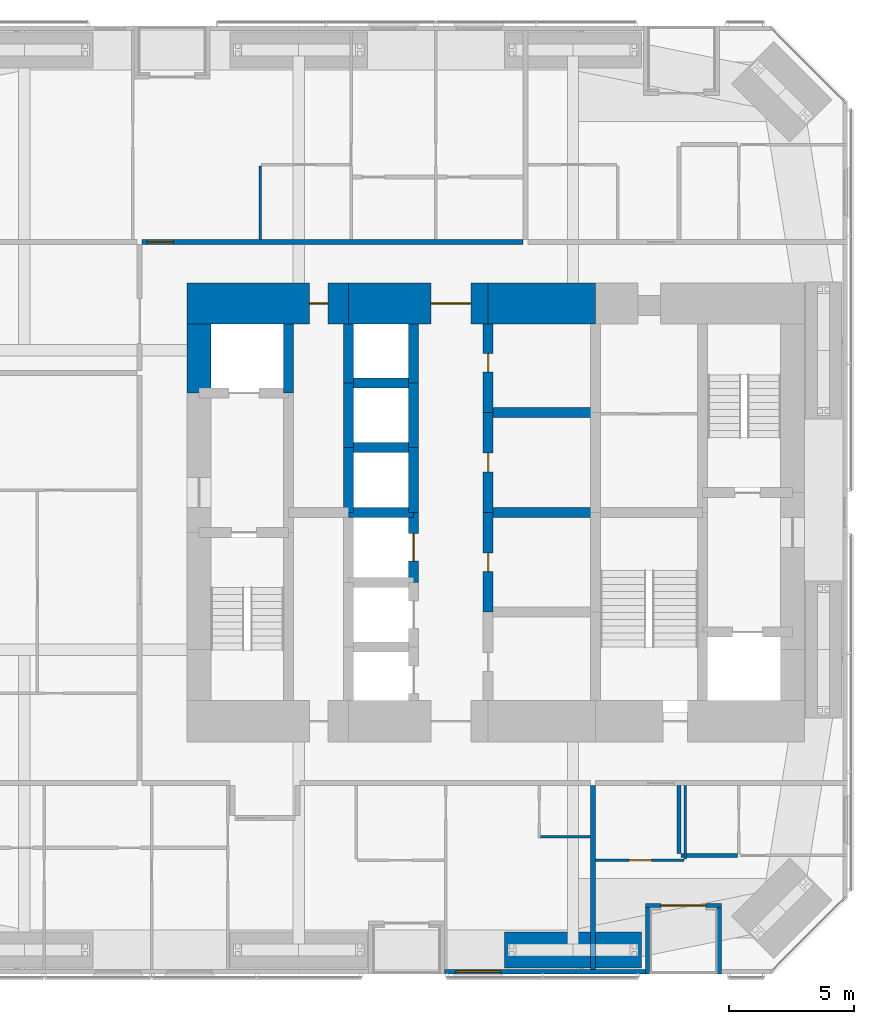
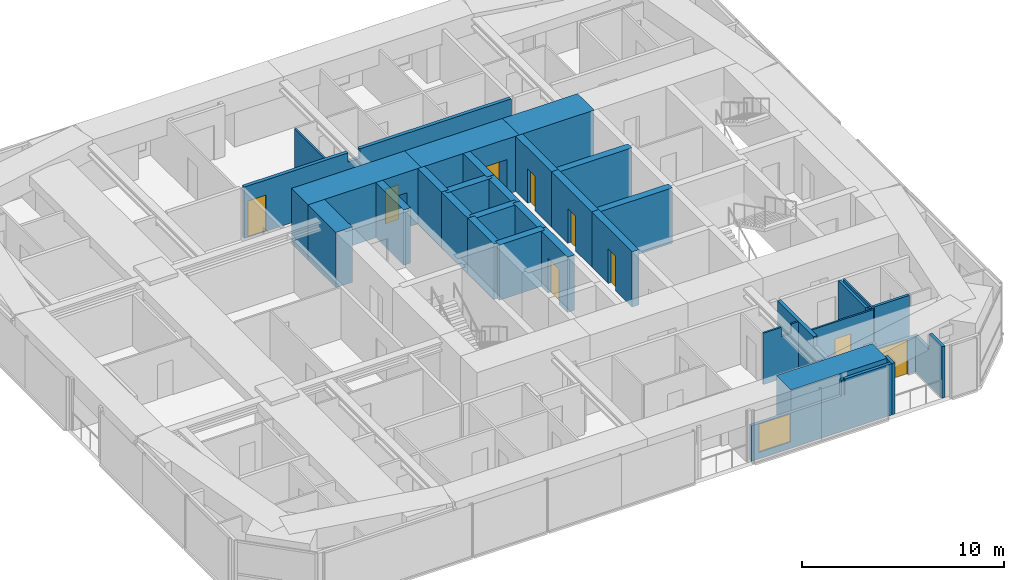
# One storey, part 20 of 24: 34 walls, 9 doors, 1 window, 10 openings.
"""IFC4 building model written with IfcOpenShell, lengths in metres."""

from ifc_helpers import new_model, si_unit, direction, frame, frame_2d, origin, place, context, subcontext, project, spatial, polyline, rectangle, outline, extrude, material, layer, layer_set, constituent, constituent_set, type_object, element, fill, save


model = new_model("IFC4")

# Units and contexts
model_context = context("Model", 3, precision=1e-05, world=origin(), true_north=direction((0.0, 1.0)))
body_context = subcontext(model_context, "Body", "Model", "MODEL_VIEW")
ifc_project = project(units=[si_unit("LENGTHUNIT", "METRE"), si_unit("AREAUNIT", "SQUARE_METRE"), si_unit("VOLUMEUNIT", "CUBIC_METRE"), si_unit("PLANEANGLEUNIT", "RADIAN"), si_unit("MASSUNIT", "GRAM", prefix="KILO")], contexts=[model_context])

# Site, building, storey
site_placement = place(None, origin())
site = spatial("IfcSite", under=ifc_project, at=site_placement, CompositionType="ELEMENT")
building_placement = place(site_placement, origin())
building = spatial("IfcBuilding", under=site, at=building_placement, Name="Jalousie Tower", CompositionType="ELEMENT")
storey_placement = place(building_placement, frame((0.0, 0.0, 57.85009765625)))
storey = spatial("IfcBuildingStorey", under=building, at=storey_placement, Name="L15", CompositionType="ELEMENT", Elevation=57.85009765625)

# Walls
ifc_material_1 = material(Name="Concrete block ASTM C90", Category="concrete")
ifc_constituent_1 = constituent(ifc_material_1, Name="Body")
ifc_material_2 = material(Name="Render")
ifc_constituent_2 = constituent(ifc_material_2, Name="Finish")
ifc_constituent_set_1 = constituent_set(constituents=[ifc_constituent_1, ifc_constituent_2])
wall_type_1 = type_object("IfcWallType", Name="BATHROOM WALL 150", PredefinedType="PLUMBINGWALL", material=ifc_constituent_set_1)
wall_1_placement = place(storey_placement, frame((39.324951171875, 4.74658203125, 0.0), z_axis=(0.0, 0.0, 1.0), x_axis=(1.0, 0.0, 0.0)))
element("IfcWall", 1, at=wall_1_placement, inside=storey, type_object=wall_type_1, Name="Bathroom Wall 150 L15", PredefinedType="PLUMBINGWALL", context=body_context, shape_type="SweptSolid", body=[
    extrude(rectangle(XDim=2.275146484375, YDim=0.14990234375, at=frame_2d((1.1376953125, 0.0))), origin(), (0.0, 0.0, 1.0), 3.10986328125),
])
wall_2_placement = place(storey_placement, frame((39.25, 4.82177734375, 0.0), z_axis=(0.0, 0.0, 1.0), x_axis=(0.0, 1.0, 0.0)))
element("IfcWall", 2, at=wall_2_placement, inside=storey, type_object=wall_type_1, Name="Bathroom Wall 150 L15", PredefinedType="PLUMBINGWALL", context=body_context, shape_type="SweptSolid", body=[
    extrude(rectangle(XDim=2.728271484375, YDim=0.14990234375, at=frame_2d((1.3642578125, 0.0))), origin(), (0.0, 0.0, 1.0), 3.10986328125),
])
ifc_material_3 = material(Name="Concrete f'c 120 MPa", Category="concrete")
ifc_layer_1 = layer(ifc_material_3, 1.64990234375)
ifc_layer_set_1 = layer_set([ifc_layer_1], Name="Concrete f'c 120 MPa")
wall_type_2 = type_object("IfcWallType", Name="CORE WALL 1650", PredefinedType="SHEAR", material=ifc_layer_set_1)
wall_3_placement = place(storey_placement, frame((35.89990234375, 26.875, 0.0), z_axis=(0.0, 0.0, 1.0), x_axis=(-1.0, 0.0, 0.0)))
element("IfcWall", 3, at=wall_3_placement, inside=storey, type_object=wall_type_2, Name="Core wall NB L15", PredefinedType="SHEAR", context=body_context, shape_type="SweptSolid", body=[
    extrude(rectangle(XDim=4.2998046875, YDim=1.64990234375, at=frame_2d((2.14990234375, 0.0))), origin(), (0.0, 0.0, 1.0), 3.349853515625),
])

# Wall, opening, door
wall_4_placement = place(storey_placement, frame((31.60009765625, 26.875, 0.0), z_axis=(0.0, 0.0, 1.0), x_axis=(-1.0, 0.0, 0.0)))
wall_4 = element("IfcWall", 4, at=wall_4_placement, inside=storey, type_object=wall_type_2, Name="Core wall NC L15", PredefinedType="SHEAR", context=body_context, shape_type="SweptSolid", body=[
    extrude(rectangle(XDim=5.60009765625, YDim=1.64990234375, at=frame_2d((2.800048828125, 0.0))), origin(), (0.0, 0.0, 1.0), 3.349853515625),
])
opening_1_placement = place(wall_4_placement, frame((0.699951171875, 0.0, 0.0)))
opening_1 = element("IfcOpeningElement", 5, at=opening_1_placement, cuts=wall_4, Name="Opening D15", PredefinedType="OPENING", context=body_context, shape_type="SweptSolid", body=[
    extrude(rectangle(XDim=1.60009765625, YDim=2.10009765625, at=frame_2d((0.800048828125, 1.050048828125))), frame((0.0, 0.8349609375, 0.0), z_axis=(0.0, -1.0, 0.0), x_axis=(1.0, 0.0, 0.0)), (0.0, 0.0, 1.0), 1.669921875),
])
ifc_material_4 = material(Name="Steel fire door", Category="steel")
door_type_1 = type_object("IfcDoorType", Name="LIFT LOBBY DOOR 1600", OperationType="DOUBLE_DOOR_SINGLE_SWING", PredefinedType="DOOR", material=ifc_material_4)
door_1_placement = place(opening_1_placement, origin())
door_1 = element("IfcDoor", 6, at=door_1_placement, inside=storey, type_object=door_type_1, Name="Lift lobby north door", OperationType="DOUBLE_DOOR_SINGLE_SWING", OverallHeight=2.10009765625, OverallWidth=1.60009765625, PredefinedType="DOOR", context=body_context, shape_type="SweptSolid", body=[
    extrude(rectangle(XDim=1.60009765625, YDim=2.10009765625, at=frame_2d((0.800048828125, 1.050048828125))), frame((0.0, 0.02490234375, 0.0), z_axis=(0.0, -1.0, 0.0), x_axis=(1.0, 0.0, 0.0)), (0.0, 0.0, 1.0), 0.050048828125),
])
fill(opening_1, door_1)

wall_5_placement = place(storey_placement, frame((26.0, 26.875, 0.0), z_axis=(0.0, 0.0, 1.0), x_axis=(-1.0, 0.0, 0.0)))
wall_5 = element("IfcWall", 7, at=wall_5_placement, inside=storey, type_object=wall_type_2, Name="Core wall ND L15", PredefinedType="SHEAR", context=body_context, shape_type="SweptSolid", body=[
    extrude(rectangle(XDim=6.47509765625, YDim=1.64990234375, at=frame_2d((3.237548828125, 0.0))), origin(), (0.0, 0.0, 1.0), 3.349853515625),
])
opening_2_placement = place(wall_5_placement, frame((0.824951171875, 0.0, 0.0)))
opening_2 = element("IfcOpeningElement", 8, at=opening_2_placement, cuts=wall_5, Name="Opening D16", PredefinedType="OPENING", context=body_context, shape_type="SweptSolid", body=[
    extrude(rectangle(XDim=0.75, YDim=2.10009765625, at=frame_2d((0.375, 1.050048828125))), frame((0.0, 0.8349609375, 0.0), z_axis=(0.0, -1.0, 0.0), x_axis=(1.0, 0.0, 0.0)), (0.0, 0.0, 1.0), 1.669921875),
])
ifc_material_5 = material(Name="Steel fire door", Category="steel")
door_type_2 = type_object("IfcDoorType", Name="RISER DOOR 750", OperationType="SINGLE_SWING_LEFT", PredefinedType="DOOR", material=ifc_material_5)
door_2_placement = place(opening_2_placement, origin())
door_2 = element("IfcDoor", 9, at=door_2_placement, inside=storey, type_object=door_type_2, Name="North riser door", OperationType="SINGLE_SWING_RIGHT", OverallHeight=2.10009765625, OverallWidth=0.75, PredefinedType="DOOR", context=body_context, shape_type="SweptSolid", body=[
    extrude(rectangle(XDim=0.75, YDim=2.10009765625, at=frame_2d((0.375, 1.050048828125))), frame((0.0, 0.02490234375, 0.0), z_axis=(0.0, -1.0, 0.0), x_axis=(1.0, 0.0, 0.0)), (0.0, 0.0, 1.0), 0.050048828125),
])
fill(opening_2, door_2)

# Walls
ifc_material_6 = material(Name="Concrete f'c 120 MPa", Category="concrete")
ifc_layer_2 = layer(ifc_material_6, 0.39990234375)
ifc_layer_set_2 = layer_set([ifc_layer_2], Name="Concrete f'c 120 MPa")
wall_type_3 = type_object("IfcWallType", Name="CORE WALL 400", PredefinedType="SHEAR", material=ifc_layer_set_2)
wall_6_placement = place(storey_placement, frame((23.60009765625, 23.300048828125, 0.0), z_axis=(0.0, 0.0, 1.0), x_axis=(0.0, 1.0, 0.0)))
element("IfcWall", 10, at=wall_6_placement, inside=storey, type_object=wall_type_3, Name="Core wall X23.6C L15", PredefinedType="SHEAR", context=body_context, shape_type="SweptSolid", body=[
    extrude(rectangle(XDim=2.75, YDim=0.39990234375, at=frame_2d((1.375, 0.0))), origin(), (0.0, 0.0, 1.0), 3.349853515625),
])
wall_7_placement = place(storey_placement, frame((26.0, 18.5, 0.0), z_axis=(0.0, 0.0, 1.0), x_axis=(0.0, 1.0, 0.0)))
element("IfcWall", 11, at=wall_7_placement, inside=storey, type_object=wall_type_3, Name="Core wall X26D L15", PredefinedType="SHEAR", context=body_context, shape_type="SweptSolid", body=[
    extrude(rectangle(XDim=2.60009765625, YDim=0.39990234375, at=frame_2d((1.300048828125, 0.0))), origin(), (0.0, 0.0, 1.0), 3.349853515625),
])
wall_8_placement = place(storey_placement, frame((26.0, 21.10009765625, 0.0), z_axis=(0.0, 0.0, 1.0), x_axis=(0.0, 1.0, 0.0)))
element("IfcWall", 12, at=wall_8_placement, inside=storey, type_object=wall_type_3, Name="Core wall X26E L15", PredefinedType="SHEAR", context=body_context, shape_type="SweptSolid", body=[
    extrude(rectangle(XDim=2.599853515625, YDim=0.39990234375, at=frame_2d((1.2998046875, 0.0))), origin(), (0.0, 0.0, 1.0), 3.349853515625),
])
wall_9_placement = place(storey_placement, frame((26.0, 23.699951171875, 0.0), z_axis=(0.0, 0.0, 1.0), x_axis=(0.0, 1.0, 0.0)))
element("IfcWall", 13, at=wall_9_placement, inside=storey, type_object=wall_type_3, Name="Core wall X26F L15", PredefinedType="SHEAR", context=body_context, shape_type="SweptSolid", body=[
    extrude(rectangle(XDim=2.35009765625, YDim=0.39990234375, at=frame_2d((1.175048828125, 0.0))), origin(), (0.0, 0.0, 1.0), 3.349853515625),
])

# Wall, opening, door
wall_10_placement = place(storey_placement, frame((28.60009765625, 15.699951171875, 0.0), z_axis=(0.0, 0.0, 1.0), x_axis=(0.0, 1.0, 0.0)))
wall_10 = element("IfcWall", 14, at=wall_10_placement, inside=storey, type_object=wall_type_3, Name="Core wall X28.6C L15", PredefinedType="SHEAR", context=body_context, shape_type="SweptSolid", body=[
    extrude(rectangle(XDim=2.800048828125, YDim=0.39990234375, at=frame_2d((1.39990234375, 0.0))), origin(), (0.0, 0.0, 1.0), 3.349853515625),
])
opening_3_placement = place(wall_10_placement, frame((0.85009765625, 0.0, 0.0)))
opening_3 = element("IfcOpeningElement", 15, at=opening_3_placement, cuts=wall_10, Name="Opening LD1", PredefinedType="OPENING", context=body_context, shape_type="SweptSolid", body=[
    extrude(rectangle(XDim=1.10009765625, YDim=2.10009765625, at=frame_2d((0.550048828125, 1.050048828125))), frame((0.0, 0.2099609375, 0.0), z_axis=(0.0, -1.0, 0.0), x_axis=(1.0, 0.0, 0.0)), (0.0, 0.0, 1.0), 0.419921875),
])
ifc_material_7 = material(Name="Steel lift landing door", Category="steel")
door_type_3 = type_object("IfcDoorType", Name="LIFT LANDING DOOR 1100", OperationType="SLIDING_TO_LEFT", PredefinedType="DOOR", material=ifc_material_7)
door_3_placement = place(opening_3_placement, origin())
door_3 = element("IfcDoor", 16, at=door_3_placement, inside=storey, type_object=door_type_3, Name="Lift P3 landing door", OperationType="SLIDING_TO_LEFT", OverallHeight=2.10009765625, OverallWidth=1.10009765625, PredefinedType="DOOR", context=body_context, shape_type="SweptSolid", body=[
    extrude(rectangle(XDim=1.10009765625, YDim=2.10009765625, at=frame_2d((0.550048828125, 1.050048828125))), frame((0.0, 0.02490234375, 0.0), z_axis=(0.0, -1.0, 0.0), x_axis=(1.0, 0.0, 0.0)), (0.0, 0.0, 1.0), 0.050048828125),
])
fill(opening_3, door_3)

# Walls
wall_11_placement = place(storey_placement, frame((28.60009765625, 18.5, 0.0), z_axis=(0.0, 0.0, 1.0), x_axis=(0.0, 1.0, 0.0)))
element("IfcWall", 17, at=wall_11_placement, inside=storey, type_object=wall_type_3, Name="Core wall X28.6D L15", PredefinedType="SHEAR", context=body_context, shape_type="SweptSolid", body=[
    extrude(rectangle(XDim=2.60009765625, YDim=0.39990234375, at=frame_2d((1.300048828125, 0.0))), origin(), (0.0, 0.0, 1.0), 3.349853515625),
])
wall_12_placement = place(storey_placement, frame((28.60009765625, 21.10009765625, 0.0), z_axis=(0.0, 0.0, 1.0), x_axis=(0.0, 1.0, 0.0)))
element("IfcWall", 18, at=wall_12_placement, inside=storey, type_object=wall_type_3, Name="Core wall X28.6E L15", PredefinedType="SHEAR", context=body_context, shape_type="SweptSolid", body=[
    extrude(rectangle(XDim=2.599853515625, YDim=0.39990234375, at=frame_2d((1.2998046875, 0.0))), origin(), (0.0, 0.0, 1.0), 3.349853515625),
])
wall_13_placement = place(storey_placement, frame((28.60009765625, 23.699951171875, 0.0), z_axis=(0.0, 0.0, 1.0), x_axis=(0.0, 1.0, 0.0)))
element("IfcWall", 19, at=wall_13_placement, inside=storey, type_object=wall_type_3, Name="Core wall X28.6F L15", PredefinedType="SHEAR", context=body_context, shape_type="SweptSolid", body=[
    extrude(rectangle(XDim=2.35009765625, YDim=0.39990234375, at=frame_2d((1.175048828125, 0.0))), origin(), (0.0, 0.0, 1.0), 3.349853515625),
])

# Wall, opening, door
wall_14_placement = place(storey_placement, frame((31.60009765625, 14.5, 0.0), z_axis=(0.0, 0.0, 1.0), x_axis=(0.0, 1.0, 0.0)))
wall_14 = element("IfcWall", 20, at=wall_14_placement, inside=storey, type_object=wall_type_3, Name="Core wall X31.6B L15", PredefinedType="SHEAR", context=body_context, shape_type="SweptSolid", body=[
    extrude(rectangle(XDim=4.0, YDim=0.39990234375, at=frame_2d((2.0, 0.0))), origin(), (0.0, 0.0, 1.0), 3.349853515625),
])
opening_4_placement = place(wall_14_placement, frame((1.625, 0.0, 0.0)))
opening_4 = element("IfcOpeningElement", 21, at=opening_4_placement, cuts=wall_14, Name="Opening D16", PredefinedType="OPENING", context=body_context, shape_type="SweptSolid", body=[
    extrude(rectangle(XDim=0.75, YDim=2.10009765625, at=frame_2d((0.375, 1.050048828125))), frame((0.0, 0.2099609375, 0.0), z_axis=(0.0, -1.0, 0.0), x_axis=(1.0, 0.0, 0.0)), (0.0, 0.0, 1.0), 0.419921875),
])
door_4_placement = place(opening_4_placement, frame((0.75, 0.0, 0.0), z_axis=(0.0, 0.0, 1.0), x_axis=(-1.0, 0.0, 0.0)))
door_4 = element("IfcDoor", 22, at=door_4_placement, inside=storey, type_object=door_type_2, Name="Electrical Room door", OperationType="SINGLE_SWING_LEFT", OverallHeight=2.10009765625, OverallWidth=0.75, PredefinedType="DOOR", context=body_context, shape_type="SweptSolid", body=[
    extrude(rectangle(XDim=0.75, YDim=2.10009765625, at=frame_2d((0.375, 1.050048828125))), frame((0.0, 0.02490234375, 0.0), z_axis=(0.0, -1.0, 0.0), x_axis=(1.0, 0.0, 0.0)), (0.0, 0.0, 1.0), 0.050048828125),
])
fill(opening_4, door_4)

wall_15_placement = place(storey_placement, frame((31.60009765625, 18.5, 0.0), z_axis=(0.0, 0.0, 1.0), x_axis=(0.0, 1.0, 0.0)))
wall_15 = element("IfcWall", 23, at=wall_15_placement, inside=storey, type_object=wall_type_3, Name="Core wall X31.6C L15", PredefinedType="SHEAR", context=body_context, shape_type="SweptSolid", body=[
    extrude(rectangle(XDim=4.0, YDim=0.39990234375, at=frame_2d((2.0, 0.0))), origin(), (0.0, 0.0, 1.0), 3.349853515625),
])
opening_5_placement = place(wall_15_placement, frame((1.625, 0.0, 0.0)))
opening_5 = element("IfcOpeningElement", 24, at=opening_5_placement, cuts=wall_15, Name="Opening D16", PredefinedType="OPENING", context=body_context, shape_type="SweptSolid", body=[
    extrude(rectangle(XDim=0.75, YDim=2.10009765625, at=frame_2d((0.375, 1.050048828125))), frame((0.0, 0.2099609375, 0.0), z_axis=(0.0, -1.0, 0.0), x_axis=(1.0, 0.0, 0.0)), (0.0, 0.0, 1.0), 0.419921875),
])
door_5_placement = place(opening_5_placement, frame((0.75, 0.0, 0.0), z_axis=(0.0, 0.0, 1.0), x_axis=(-1.0, 0.0, 0.0)))
door_5 = element("IfcDoor", 25, at=door_5_placement, inside=storey, type_object=door_type_2, Name="Telecom Room door", OperationType="SINGLE_SWING_LEFT", OverallHeight=2.10009765625, OverallWidth=0.75, PredefinedType="DOOR", context=body_context, shape_type="SweptSolid", body=[
    extrude(rectangle(XDim=0.75, YDim=2.10009765625, at=frame_2d((0.375, 1.050048828125))), frame((0.0, 0.02490234375, 0.0), z_axis=(0.0, -1.0, 0.0), x_axis=(1.0, 0.0, 0.0)), (0.0, 0.0, 1.0), 0.050048828125),
])
fill(opening_5, door_5)

wall_16_placement = place(storey_placement, frame((31.60009765625, 22.5, 0.0), z_axis=(0.0, 0.0, 1.0), x_axis=(0.0, 1.0, 0.0)))
wall_16 = element("IfcWall", 26, at=wall_16_placement, inside=storey, type_object=wall_type_3, Name="Core wall X31.6D L15", PredefinedType="SHEAR", context=body_context, shape_type="SweptSolid", body=[
    extrude(rectangle(XDim=3.550048828125, YDim=0.39990234375, at=frame_2d((1.77490234375, 0.0))), origin(), (0.0, 0.0, 1.0), 3.349853515625),
])
opening_6_placement = place(wall_16_placement, frame((1.625, 0.0, 0.0)))
opening_6 = element("IfcOpeningElement", 27, at=opening_6_placement, cuts=wall_16, Name="Opening D16", PredefinedType="OPENING", context=body_context, shape_type="SweptSolid", body=[
    extrude(rectangle(XDim=0.75, YDim=2.10009765625, at=frame_2d((0.375, 1.050048828125))), frame((0.0, 0.2099609375, 0.0), z_axis=(0.0, -1.0, 0.0), x_axis=(1.0, 0.0, 0.0)), (0.0, 0.0, 1.0), 0.419921875),
])
door_6_placement = place(opening_6_placement, frame((0.75, 0.0, 0.0), z_axis=(0.0, 0.0, 1.0), x_axis=(-1.0, 0.0, 0.0)))
door_6 = element("IfcDoor", 28, at=door_6_placement, inside=storey, type_object=door_type_2, Name="Water Services Room door", OperationType="SINGLE_SWING_LEFT", OverallHeight=2.10009765625, OverallWidth=0.75, PredefinedType="DOOR", context=body_context, shape_type="SweptSolid", body=[
    extrude(rectangle(XDim=0.75, YDim=2.10009765625, at=frame_2d((0.375, 1.050048828125))), frame((0.0, 0.02490234375, 0.0), z_axis=(0.0, -1.0, 0.0), x_axis=(1.0, 0.0, 0.0)), (0.0, 0.0, 1.0), 0.050048828125),
])
fill(opening_6, door_6)

# Walls
for number, where, z_axis, x_axis, name in (
    (29, (26.0, 18.5, 0.0), (0.0, 0.0, 1.0), (1.0, 0.0, 0.0), "Core wall Y26-18.5 L15"),
    (30, (26.0, 21.10009765625, 0.0), (0.0, 0.0, 1.0), (1.0, 0.0, 0.0), "Core wall Y26-21.1 L15"),
    (31, (26.0, 23.699951171875, 0.0), (0.0, 0.0, 1.0), (1.0, 0.0, 0.0), "Core wall Y26-23.7 L15"),
):
    element("IfcWall", number, at=place(storey_placement, frame(where, z_axis=z_axis, x_axis=x_axis)), inside=storey, type_object=wall_type_3, Name=name, PredefinedType="SHEAR", context=body_context, shape_type="SweptSolid", body=[
        extrude(rectangle(XDim=2.60009765625, YDim=0.39990234375, at=frame_2d((1.300048828125, 0.0))), origin(), (0.0, 0.0, 1.0), 3.349853515625),
    ])
for number, where, z_axis, x_axis, name in (
    (32, (31.60009765625, 18.5, 0.0), (0.0, 0.0, 1.0), (1.0, 0.0, 0.0), "Core wall Y31.6-18.5 L15"),
    (33, (31.60009765625, 22.5, 0.0), (0.0, 0.0, 1.0), (1.0, 0.0, 0.0), "Core wall Y31.6-22.5 L15"),
):
    element("IfcWall", number, at=place(storey_placement, frame(where, z_axis=z_axis, x_axis=x_axis)), inside=storey, type_object=wall_type_3, Name=name, PredefinedType="SHEAR", context=body_context, shape_type="SweptSolid", body=[
        extrude(rectangle(XDim=4.2998046875, YDim=0.39990234375, at=frame_2d((2.14990234375, 0.0))), origin(), (0.0, 0.0, 1.0), 3.349853515625),
    ])
ifc_material_8 = material(Name="Concrete f'c 120 MPa", Category="concrete")
ifc_layer_3 = layer(ifc_material_8, 0.949951171875)
ifc_layer_set_3 = layer_set([ifc_layer_3], Name="Concrete f'c 120 MPa")
wall_type_4 = type_object("IfcWallType", Name="CORE WALL 950", PredefinedType="SHEAR", material=ifc_layer_set_3)
wall_17_placement = place(storey_placement, frame((20.0, 26.050048828125, 0.0), z_axis=(0.0, 0.0, 1.0), x_axis=(0.0, -1.0, 0.0)))
element("IfcWall", 34, at=wall_17_placement, inside=storey, type_object=wall_type_4, Name="Core wall WA L15", PredefinedType="SHEAR", context=body_context, shape_type="SweptSolid", body=[
    extrude(rectangle(XDim=2.75, YDim=0.949951171875, at=frame_2d((1.375, 0.0))), origin(), (0.0, 0.0, 1.0), 3.349853515625),
])

# Wall, opening, door
ifc_material_9 = material(Name="Concrete block ASTM C90", Category="concrete")
ifc_constituent_3 = constituent(ifc_material_9, Name="Body")
ifc_material_10 = material(Name="Render")
ifc_constituent_4 = constituent(ifc_material_10, Name="Finish")
ifc_constituent_set_2 = constituent_set(constituents=[ifc_constituent_3, ifc_constituent_4])
wall_type_5 = type_object("IfcWallType", Name="CORRIDOR WALL 200", PredefinedType="PARTITIONING", material=ifc_constituent_set_2)
wall_18_placement = place(storey_placement, frame((17.72509765625, 29.35009765625, 0.0), z_axis=(0.0, 0.0, 1.0), x_axis=(1.0, 0.0, 0.0)))
wall_18 = element("IfcWall", 35, at=wall_18_placement, inside=storey, type_object=wall_type_5, Name="Corridor Wall 200 L15", PredefinedType="PARTITIONING", context=body_context, shape_type="SweptSolid", body=[
    extrude(outline(polyline([(0.0, 0.0), (15.27490234375, 0.0), (15.27490234375, 3.10986328125), (6.6123046875, 3.10986328125), (6.6123046875, 2.541015625), (5.9375, 2.541015625), (5.9375, 3.10986328125), (0.0, 3.10986328125), (0.0, 0.0)])), frame((0.0, 0.10009765625, 0.0), z_axis=(0.0, -1.0, 0.0), x_axis=(1.0, 0.0, 0.0)), (0.0, 0.0, 1.0), 0.199951171875),
])
opening_7_placement = place(wall_18_placement, frame((0.199951171875, 0.0, 0.0)))
opening_7 = element("IfcOpeningElement", 36, at=opening_7_placement, cuts=wall_18, Name="Opening D1", PredefinedType="OPENING", context=body_context, shape_type="SweptSolid", body=[
    extrude(rectangle(XDim=1.050048828125, YDim=2.199951171875, at=frame_2d((0.52490234375, 1.10009765625))), frame((0.0, 0.10986328125, 0.0), z_axis=(0.0, -1.0, 0.0), x_axis=(1.0, 0.0, 0.0)), (0.0, 0.0, 1.0), 0.219970703125),
])
ifc_material_11 = material(Name="Timber fire door", Category="wood")
door_type_4 = type_object("IfcDoorType", Name="APARTMENT ENTRANCE DOOR 1050", OperationType="SINGLE_SWING_LEFT", PredefinedType="DOOR", material=ifc_material_11)
door_7_placement = place(opening_7_placement, origin())
door_7 = element("IfcDoor", 37, at=door_7_placement, inside=storey, type_object=door_type_4, Name="Apartment 1503 entrance", OperationType="SINGLE_SWING_LEFT", OverallHeight=2.199951171875, OverallWidth=1.050048828125, PredefinedType="DOOR", context=body_context, shape_type="SweptSolid", body=[
    extrude(rectangle(XDim=1.050048828125, YDim=2.199951171875, at=frame_2d((0.52490234375, 1.10009765625))), frame((0.0, 0.02490234375, 0.0), z_axis=(0.0, -1.0, 0.0), x_axis=(1.0, 0.0, 0.0)), (0.0, 0.0, 1.0), 0.050048828125),
])
fill(opening_7, door_7)

# Wall, opening, window
ifc_material_12 = material(Name="Concrete f'c 40 MPa", Category="concrete")
ifc_constituent_5 = constituent(ifc_material_12, Name="Body")
ifc_material_13 = material(Name="Render, pastel coral")
ifc_constituent_6 = constituent(ifc_material_13, Name="Finish")
ifc_constituent_set_3 = constituent_set(constituents=[ifc_constituent_5, ifc_constituent_6])
wall_type_6 = type_object("IfcWallType", Name="EXTERNAL WALL 175 CORAL RENDER", PredefinedType="SOLIDWALL", material=ifc_constituent_set_3)
wall_19_placement = place(storey_placement, frame((29.85009765625, 0.08740234375, 0.0), z_axis=(0.0, 0.0, 1.0), x_axis=(1.0, 0.0, 0.0)))
wall_19 = element("IfcWall", 38, at=wall_19_placement, inside=storey, type_object=wall_type_6, Name="External Wall 175 Coral Render L15", PredefinedType="SOLIDWALL", context=body_context, shape_type="SweptSolid", body=[
    extrude(outline(polyline([(0.0, 0.0), (8.0498046875, 0.0), (8.050048828125, 3.10986328125), (5.35400390625, 3.10986328125), (5.35400390625, 2.14990234375), (5.3056640625, 2.14990234375), (5.3056640625, 3.10986328125), (5.14990234375, 3.10986328125), (5.14990234375, 2.14990234375), (0.0, 2.14990234375), (0.0, 0.0)])), frame((0.0, 0.08740234375, 0.0), z_axis=(0.0, -1.0, 0.0), x_axis=(1.0, 0.0, 0.0)), (0.0, 0.0, 1.0), 0.175048828125),
])
opening_8_placement = place(wall_19_placement, frame((0.449951171875, 0.0, 0.39990234375)))
opening_8 = element("IfcOpeningElement", 39, at=opening_8_placement, cuts=wall_19, Name="Opening W-BED170", PredefinedType="OPENING", context=body_context, shape_type="SweptSolid", body=[
    extrude(rectangle(XDim=1.800048828125, YDim=1.699951171875, at=frame_2d((0.89990234375, 0.85009765625))), frame((0.0, 0.097412109375, 0.0), z_axis=(0.0, -1.0, 0.0), x_axis=(1.0, 0.0, 0.0)), (0.0, 0.0, 1.0), 0.195068359375),
])
ifc_material_14 = material(Name="Aluminium frame, impact-rated glazing", Category="aluminium")
window_type = type_object("IfcWindowType", Name="WINDOW BED 1800x1700", PartitioningType="SINGLE_PANEL", PredefinedType="WINDOW", material=ifc_material_14)
window_placement = place(opening_8_placement, origin())
window = element("IfcWindow", 40, at=window_placement, inside=storey, type_object=window_type, Name="Apartment 1501 study window", OverallHeight=1.699951171875, OverallWidth=1.800048828125, PartitioningType="SINGLE_PANEL", PredefinedType="WINDOW", context=body_context, shape_type="SweptSolid", body=[
    extrude(rectangle(XDim=1.800048828125, YDim=1.699951171875, at=frame_2d((0.89990234375, 0.85009765625))), frame((0.0, 0.030029296875, 0.0), z_axis=(0.0, -1.0, 0.0), x_axis=(1.0, 0.0, 0.0)), (0.0, 0.0, 1.0), 0.06005859375),
])
fill(opening_8, window)

# Wall
wall_20_placement = place(storey_placement, frame((37.89990234375, 2.737548828125, 0.0), z_axis=(0.0, 0.0, 1.0), x_axis=(1.0, 0.0, 0.0)))
element("IfcWall", 41, at=wall_20_placement, inside=storey, type_object=wall_type_6, Name="External Wall 175 Coral Render L15-A", PredefinedType="SOLIDWALL", context=body_context, shape_type="SweptSolid", body=[
    extrude(rectangle(XDim=0.625, YDim=0.175048828125, at=frame_2d((0.3125, 0.0))), origin(), (0.0, 0.0, 1.0), 2.510009765625),
])

# Wall, opening, door
wall_21_placement = place(storey_placement, frame((38.52490234375, 2.737548828125, 0.0), z_axis=(0.0, 0.0, 1.0), x_axis=(1.0, 0.0, 0.0)))
wall_21 = element("IfcWall", 42, at=wall_21_placement, inside=storey, type_object=wall_type_6, Name="External Wall 175 Coral Render L15-B", PredefinedType="SOLIDWALL", context=body_context, shape_type="SweptSolid", body=[
    extrude(rectangle(XDim=2.425048828125, YDim=0.175048828125, at=frame_2d((1.21240234375, 0.0))), origin(), (0.0, 0.0, 1.0), 2.14990234375),
])
opening_9_placement = place(wall_21_placement, origin())
opening_9 = element("IfcOpeningElement", 43, at=opening_9_placement, cuts=wall_21, Name="Opening D-BAL21", PredefinedType="OPENING", context=body_context, shape_type="SweptSolid", body=[
    extrude(rectangle(XDim=1.800048828125, YDim=2.10009765625, at=frame_2d((0.89990234375, 1.050048828125))), frame((0.0, 0.097412109375, 0.0), z_axis=(0.0, -1.0, 0.0), x_axis=(1.0, 0.0, 0.0)), (0.0, 0.0, 1.0), 0.195068359375),
])
ifc_material_15 = material(Name="Aluminium frame, impact-rated glazing", Category="aluminium")
door_type_5 = type_object("IfcDoorType", Name="BALCONY DOOR 1800x2100", OperationType="SLIDING_TO_LEFT", PredefinedType="DOOR", material=ifc_material_15)
door_8_placement = place(opening_9_placement, origin())
door_8 = element("IfcDoor", 44, at=door_8_placement, inside=storey, type_object=door_type_5, Name="Apartment 1502 living and dining room loggia door", OperationType="SLIDING_TO_LEFT", OverallHeight=2.10009765625, OverallWidth=1.800048828125, PredefinedType="DOOR", context=body_context, shape_type="SweptSolid", body=[
    extrude(rectangle(XDim=1.800048828125, YDim=2.10009765625, at=frame_2d((0.89990234375, 1.050048828125))), frame((0.0, 0.02490234375, 0.0), z_axis=(0.0, -1.0, 0.0), x_axis=(1.0, 0.0, 0.0)), (0.0, 0.0, 1.0), 0.050048828125),
])
fill(opening_9, door_8)

# Walls
wall_22_placement = place(storey_placement, frame((37.987548828125, 0.0, 0.0), z_axis=(0.0, 0.0, 1.0), x_axis=(0.0, 1.0, 0.0)))
element("IfcWall", 45, at=wall_22_placement, inside=storey, type_object=wall_type_6, Name="External Wall 175 Coral Render L15", PredefinedType="SOLIDWALL", context=body_context, shape_type="SweptSolid", body=[
    extrude(outline(polyline([(0.0, 0.0), (2.64990234375, 0.0), (2.64990234375, 2.510009765625), (2.3837890625, 2.510009765625), (2.3837890625, 2.14990234375), (0.716796875, 2.14990234375), (0.716796875, 3.10986328125), (0.0, 3.10986328125), (0.0, 0.0)])), frame((0.0, 0.08740234375, 0.0), z_axis=(0.0, -1.0, 0.0), x_axis=(1.0, 0.0, 0.0)), (0.0, 0.0, 1.0), 0.175048828125),
])
wall_23_placement = place(storey_placement, frame((40.862548828125, 0.0, 0.0), z_axis=(0.0, 0.0, 1.0), x_axis=(0.0, 1.0, 0.0)))
element("IfcWall", 46, at=wall_23_placement, inside=storey, type_object=wall_type_6, Name="External Wall 175 Coral Render L15", PredefinedType="SOLIDWALL", context=body_context, shape_type="SweptSolid", body=[
    extrude(outline(polyline([(0.0, 0.0), (2.64990234375, 0.0), (2.64990234375, 2.14990234375), (1.294189453125, 2.14990234375), (1.294189453125, 3.10986328125), (0.0, 3.10986328125), (0.0, 0.0)])), frame((0.0, 0.08740234375, 0.0), z_axis=(0.0, -1.0, 0.0), x_axis=(1.0, 0.0, 0.0)), (0.0, 0.0, 1.0), 0.175048828125),
])

# Wall, opening, door
ifc_material_16 = material(Name="Gypsum board", Category="gypsum")
ifc_constituent_7 = constituent(ifc_material_16, Name="Body")
ifc_material_17 = material(Name="Light-gauge steel studs ASTM A653 SS Grade 33", Category="steel")
ifc_constituent_8 = constituent(ifc_material_17, Name="Framing")
ifc_constituent_set_4 = constituent_set(constituents=[ifc_constituent_7, ifc_constituent_8])
wall_type_7 = type_object("IfcWallType", Name="PARTITION 100", PredefinedType="PARTITIONING", material=ifc_constituent_set_4)
wall_24_placement = place(storey_placement, frame((35.89990234375, 4.550048828125, 0.0), z_axis=(0.0, 0.0, 1.0), x_axis=(1.0, 0.0, 0.0)))
wall_24 = element("IfcWall", 47, at=wall_24_placement, inside=storey, type_object=wall_type_7, Name="Partition 100 L15", PredefinedType="PARTITIONING", context=body_context, shape_type="SweptSolid", body=[
    extrude(rectangle(XDim=3.550048828125, YDim=0.10009765625, at=frame_2d((1.77490234375, 0.0))), origin(), (0.0, 0.0, 1.0), 3.10986328125),
])
opening_10_placement = place(wall_24_placement, frame((1.35009765625, 0.0, 0.0)))
opening_10 = element("IfcOpeningElement", 48, at=opening_10_placement, cuts=wall_24, Name="Opening D7", PredefinedType="OPENING", context=body_context, shape_type="SweptSolid", body=[
    extrude(rectangle(XDim=0.89990234375, YDim=2.10009765625, at=frame_2d((0.449951171875, 1.050048828125))), frame((0.0, 0.06005859375, 0.0), z_axis=(0.0, -1.0, 0.0), x_axis=(1.0, 0.0, 0.0)), (0.0, 0.0, 1.0), 0.1201171875),
])
ifc_material_18 = material(Name="Timber door", Category="wood")
door_type_6 = type_object("IfcDoorType", Name="INTERNAL DOOR 900", OperationType="SINGLE_SWING_LEFT", PredefinedType="DOOR", material=ifc_material_18)
door_9_placement = place(opening_10_placement, frame((0.89990234375, 0.0, 0.0), z_axis=(0.0, 0.0, 1.0), x_axis=(-1.0, 0.0, 0.0)))
door_9 = element("IfcDoor", 49, at=door_9_placement, inside=storey, type_object=door_type_6, Name="Apartment 1502 kitchen door", OperationType="SINGLE_SWING_RIGHT", OverallHeight=2.10009765625, OverallWidth=0.89990234375, PredefinedType="DOOR", context=body_context, shape_type="SweptSolid", body=[
    extrude(rectangle(XDim=0.89990234375, YDim=2.10009765625, at=frame_2d((0.449951171875, 1.050048828125))), frame((0.0, 0.02490234375, 0.0), z_axis=(0.0, -1.0, 0.0), x_axis=(1.0, 0.0, 0.0)), (0.0, 0.0, 1.0), 0.050048828125),
])
fill(opening_10, door_9)

# Walls
for number, where, z_axis, x_axis, name in (
    (50, (39.5, 4.60009765625, 0.0), (0.0, 0.0, 1.0), (0.0, 1.0, 0.0), "Partition 100 L15"),
    (51, (22.449951171875, 32.39990234375, 0.0), (0.0, 0.0, 1.0), (0.0, -1.0, 0.0), "Partition 100 L15"),
):
    element("IfcWall", number, at=place(storey_placement, frame(where, z_axis=z_axis, x_axis=x_axis)), inside=storey, type_object=wall_type_7, Name=name, PredefinedType="PARTITIONING", context=body_context, shape_type="SweptSolid", body=[
        extrude(rectangle(XDim=2.949951171875, YDim=0.10009765625, at=frame_2d((1.47509765625, 0.0))), origin(), (0.0, 0.0, 1.0), 3.10986328125),
    ])
wall_25_placement = place(storey_placement, frame((35.699951171875, 5.5, 0.0), z_axis=(0.0, 0.0, 1.0), x_axis=(-1.0, 0.0, 0.0)))
element("IfcWall", 52, at=wall_25_placement, inside=storey, type_object=wall_type_7, Name="Partition 100 L15", PredefinedType="PARTITIONING", context=body_context, shape_type="SweptSolid", body=[
    extrude(outline(polyline([(0.0, 0.0), (2.0, 0.0), (2.0, 3.10986328125), (0.9873046875, 3.10986328125), (0.9873046875, 2.541015625), (0.41259765625, 2.541015625), (0.41259765625, 3.10986328125), (0.0, 3.10986328125), (0.0, 0.0)])), frame((0.0, 0.050048828125, 0.0), z_axis=(0.0, -1.0, 0.0), x_axis=(1.0, 0.0, 0.0)), (0.0, 0.0, 1.0), 0.10009765625),
])
ifc_material_19 = material(Name="Concrete block ASTM C90", Category="concrete")
ifc_constituent_9 = constituent(ifc_material_19, Name="Body")
ifc_material_20 = material(Name="Render")
ifc_constituent_10 = constituent(ifc_material_20, Name="Finish")
ifc_constituent_set_5 = constituent_set(constituents=[ifc_constituent_9, ifc_constituent_10])
wall_type_8 = type_object("IfcWallType", Name="PARTY WALL 200", PredefinedType="PARTITIONING", material=ifc_constituent_set_5)
wall_26_placement = place(storey_placement, frame((35.800048828125, 0.175048828125, 0.0), z_axis=(0.0, 0.0, 1.0), x_axis=(0.0, 1.0, 0.0)))
element("IfcWall", 53, at=wall_26_placement, inside=storey, type_object=wall_type_8, Name="Party Wall 200 L15", PredefinedType="PARTITIONING", context=body_context, shape_type="SweptSolid", body=[
    extrude(outline(polyline([(0.007568359375, 3.10986328125), (0.0, 3.10986328125), (0.0, 0.0), (0.52880859375, 0.0), (0.52880859375, 0.95703125), (1.021240234375, 0.95703125), (1.021240234375, 0.0), (7.375, 0.0), (7.375, 3.10986328125), (3.766357421875, 3.10986328125), (3.766357421875, 2.510009765625), (1.864013671875, 2.510009765625), (1.864013671875, 2.14990234375), (1.021240234375, 2.14990234375), (1.021240234375, 1.192626953125), (0.52880859375, 1.192626953125), (0.52880859375, 2.14990234375), (0.007568359375, 2.14990234375), (0.007568359375, 3.10986328125)])), frame((0.0, 0.10009765625, 0.0), z_axis=(0.0, -1.0, 0.0), x_axis=(1.0, 0.0, 0.0)), (0.0, 0.0, 1.0), 0.199951171875),
])
ifc_material_21 = material(Name="Concrete f'c 120 MPa", Category="concrete")
ifc_layer_4 = layer(ifc_material_21, 1.449951171875)
ifc_layer_set_4 = layer_set([ifc_layer_4], Name="Concrete f'c 120 MPa")
wall_type_9 = type_object("IfcWallType", Name="RC WALL PIER 1450", PredefinedType="SHEAR", material=ifc_layer_set_4)
wall_27_placement = place(storey_placement, frame((32.25, 0.949951171875, 0.0), z_axis=(0.0, 0.0, 1.0), x_axis=(1.0, 0.0, 0.0)))
element("IfcWall", 54, at=wall_27_placement, inside=storey, type_object=wall_type_9, Name="Wall pier 04 L15", PredefinedType="SHEAR", context=body_context, shape_type="SweptSolid", body=[
    extrude(rectangle(XDim=5.5, YDim=1.449951171875, at=frame_2d((2.75, 0.0))), origin(), (0.0, 0.0, 1.0), 3.349853515625),
])

save(model, "model.ifc")
